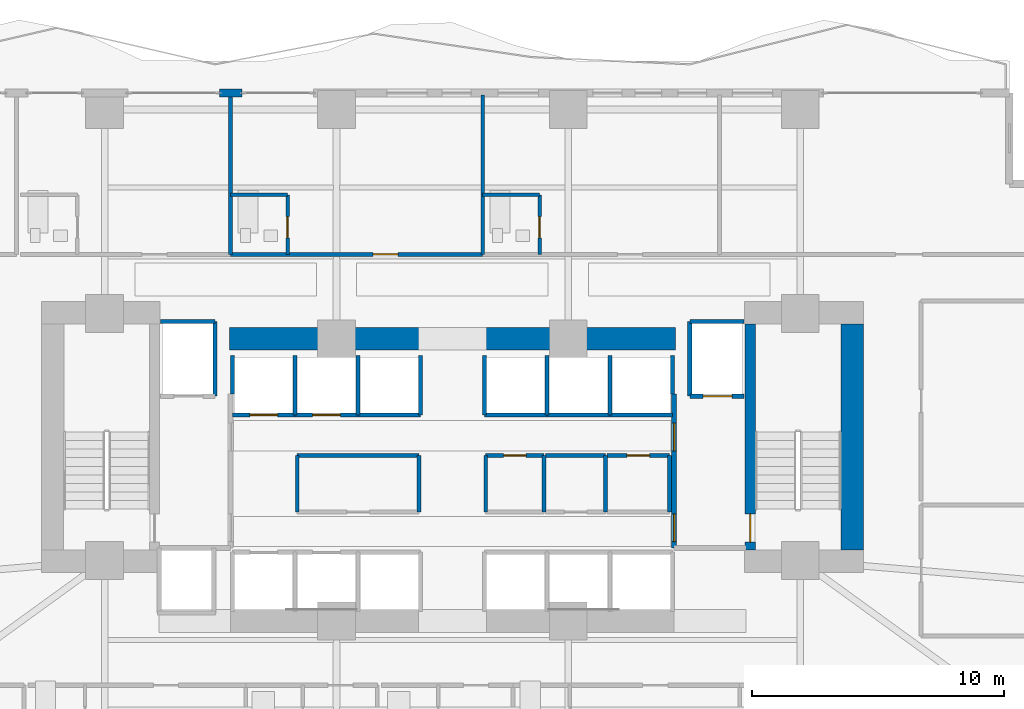
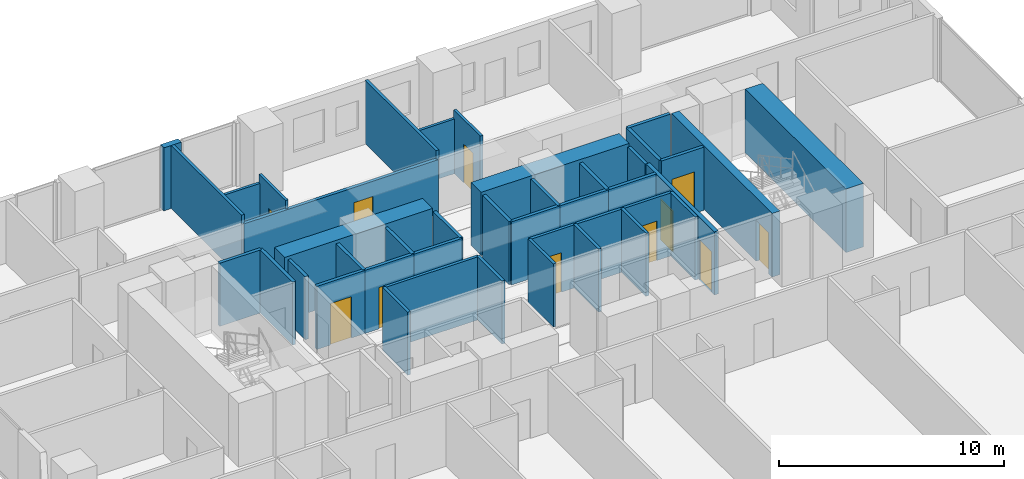
# One storey, part 21 of 29: 42 walls, 11 doors, 11 openings.
"""IFC4 building model written with IfcOpenShell, lengths in metres."""

from ifc_helpers import new_model, si_unit, direction, frame, frame_2d, origin, place, context, subcontext, project, spatial, rectangle, extrude, material, layer, layer_set, type_object, element, fill, save


model = new_model("IFC4")

# Units and contexts
model_context = context("Model", 3, precision=1e-05, world=origin(), true_north=direction((0.0, 1.0)))
body_context = subcontext(model_context, "Body", "Model", "MODEL_VIEW")
ifc_project = project(units=[si_unit("LENGTHUNIT", "METRE"), si_unit("AREAUNIT", "SQUARE_METRE"), si_unit("VOLUMEUNIT", "CUBIC_METRE"), si_unit("PLANEANGLEUNIT", "RADIAN"), si_unit("MASSUNIT", "GRAM", prefix="KILO")], contexts=[model_context])

# Site, building, storey
site_placement = place(None, origin())
site = spatial("IfcSite", under=ifc_project, at=site_placement, CompositionType="ELEMENT")
building_placement = place(site_placement, origin())
building = spatial("IfcBuilding", under=site, at=building_placement, Name="Zuhayl Quay Hotel", CompositionType="ELEMENT")
storey_placement = place(building_placement, frame((0.0, 0.0, 38.550048828125)))
storey = spatial("IfcBuildingStorey", under=building, at=storey_placement, Name="L08", CompositionType="ELEMENT", Elevation=38.550048828125)

# Walls
ifc_material_1 = material(Name="Concrete C70/85", Category="concrete")
ifc_layer_1 = layer(ifc_material_1, 0.89990234375, Name="Concrete C70/85", Category="concrete")
ifc_layer_set_1 = layer_set([ifc_layer_1], Name="Concrete C70/85")
wall_type_1 = type_object("IfcWallType", Name="WL_CORE_900", PredefinedType="SHEAR", material=ifc_layer_set_1)
wall_1_placement = place(storey_placement, frame((15.860107421875, 4.969970703125, 0.0), z_axis=(0.0, 0.0, 1.0), x_axis=(0.0, 1.0, 0.0)))
element("IfcWall", 1, at=wall_1_placement, inside=storey, type_object=wall_type_1, Name="L08 Core Shear Wall CW_E", PredefinedType="SHEAR", context=body_context, shape_type="SweptSolid", body=[
    extrude(rectangle(XDim=8.9599609375, YDim=0.89990234375, at=frame_2d((4.47998046875, 0.0))), origin(), (0.0, 0.0, 1.0), 3.4599609375),
])
for number, where, z_axis, x_axis, name in (
    (2, (-8.85009765625, 13.35009765625, 0.0), (0.0, 0.0, 1.0), (1.0, 0.0, 0.0), "L08 Core Shear Wall CW_NC_W"),
    (3, (1.25, 13.35009765625, 0.0), (0.0, 0.0, 1.0), (1.0, 0.0, 0.0), "L08 Core Shear Wall CW_NC_E"),
):
    element("IfcWall", number, at=place(storey_placement, frame(where, z_axis=z_axis, x_axis=x_axis)), inside=storey, type_object=wall_type_1, Name=name, PredefinedType="SHEAR", context=body_context, shape_type="SweptSolid", body=[
        extrude(rectangle(XDim=7.60009765625, YDim=0.89990234375, at=frame_2d((3.800048828125, 0.0))), origin(), (0.0, 0.0, 1.0), 3.429931640625),
    ])
ifc_material_2 = material(Name="Precast concrete C45/55", Category="concrete")
ifc_layer_2 = layer(ifc_material_2, 0.300048828125, Name="Precast concrete C45/55", Category="concrete")
ifc_layer_set_2 = layer_set([ifc_layer_2], Name="Precast concrete C45/55")
wall_type_2 = type_object("IfcWallType", Name="WL_EXT_300", PredefinedType="STANDARD", material=ifc_layer_set_2)
wall_2_placement = place(storey_placement, frame((-9.25, 23.10009765625, 0.0), z_axis=(0.0, 0.0, 1.0), x_axis=(1.0, 0.0, 0.0)))
element("IfcWall", 4, at=wall_2_placement, inside=storey, type_object=wall_type_2, Name="L08 Exterior Precast Wall ENV_L08_N_EW4", PredefinedType="STANDARD", context=body_context, shape_type="SweptSolid", body=[
    extrude(rectangle(XDim=0.89990234375, YDim=0.300048828125, at=frame_2d((0.449951171875, 0.0))), origin(), (0.0, 0.0, 1.0), 3.429931640625),
])

# Wall, opening, door
ifc_material_3 = material(Name="Acoustic Gypsum Partition STC-58")
ifc_layer_3 = layer(ifc_material_3, 0.14990234375, Name="Acoustic Gypsum Partition STC-58")
ifc_layer_set_3 = layer_set([ifc_layer_3], Name="Acoustic Gypsum Partition STC-58")
wall_type_3 = type_object("IfcWallType", Name="WL_PART_150", PredefinedType="PARTITIONING", material=ifc_layer_set_3)
wall_3_placement = place(storey_placement, frame((1.320068359375, 8.719970703125, 0.0), z_axis=(0.0, 0.0, 1.0), x_axis=(1.0, 0.0, 0.0)))
wall_3 = element("IfcWall", 5, at=wall_3_placement, inside=storey, type_object=wall_type_3, Name="L08 Partition IW_L08_CORE_E1_N", PredefinedType="PARTITIONING", context=body_context, shape_type="SweptSolid", body=[
    extrude(rectangle(XDim=2.31982421875, YDim=0.14990234375, at=frame_2d((1.159912109375, 0.0))), origin(), (0.0, 0.0, 1.0), 3.429931640625),
])
opening_1_placement = place(wall_3_placement, frame((0.7099609375, 0.0, 0.0)))
opening_1 = element("IfcOpeningElement", 6, at=opening_1_placement, cuts=wall_3, Name="Opening D06", PredefinedType="OPENING", context=body_context, shape_type="SweptSolid", body=[
    extrude(rectangle(XDim=0.89990234375, YDim=2.14990234375, at=frame_2d((0.449951171875, 1.074951171875))), frame((0.0, 0.0849609375, 0.0), z_axis=(0.0, -1.0, 0.0), x_axis=(1.0, 0.0, 0.0)), (0.0, 0.0, 1.0), 0.169921875),
])
ifc_material_4 = material(Name="Steel ASTM A992 Grade 50", Category="steel")
door_type_1 = type_object("IfcDoorType", Name="DR_INT_900", OperationType="NOTDEFINED", PredefinedType="DOOR", material=ifc_material_4)
door_1_placement = place(opening_1_placement, origin())
door_1 = element("IfcDoor", 7, at=door_1_placement, inside=storey, type_object=door_type_1, Name="L08 Floor Electrical Closet Door", OperationType="SINGLE_SWING_LEFT", OverallHeight=2.14990234375, OverallWidth=0.89990234375, PredefinedType="DOOR", context=body_context, shape_type="SweptSolid", body=[
    extrude(rectangle(XDim=0.89990234375, YDim=2.14990234375, at=frame_2d((0.449951171875, 1.074951171875))), frame((0.0, 0.02490234375, 0.0), z_axis=(0.0, -1.0, 0.0), x_axis=(1.0, 0.0, 0.0)), (0.0, 0.0, 1.0), 0.050048828125),
])
fill(opening_1, door_1)

wall_4_placement = place(storey_placement, frame((6.139892578125, 8.719970703125, 0.0), z_axis=(0.0, 0.0, 1.0), x_axis=(1.0, 0.0, 0.0)))
wall_4 = element("IfcWall", 8, at=wall_4_placement, inside=storey, type_object=wall_type_3, Name="L08 Partition IW_L08_CORE_E3_N", PredefinedType="PARTITIONING", context=body_context, shape_type="SweptSolid", body=[
    extrude(rectangle(XDim=2.47021484375, YDim=0.14990234375, at=frame_2d((1.235107421875, 0.0))), origin(), (0.0, 0.0, 1.0), 3.429931640625),
])
opening_2_placement = place(wall_4_placement, frame((0.784912109375, 0.0, 0.0)))
opening_2 = element("IfcOpeningElement", 9, at=opening_2_placement, cuts=wall_4, Name="Opening D06", PredefinedType="OPENING", context=body_context, shape_type="SweptSolid", body=[
    extrude(rectangle(XDim=0.89990234375, YDim=2.14990234375, at=frame_2d((0.449951171875, 1.074951171875))), frame((0.0, 0.0849609375, 0.0), z_axis=(0.0, -1.0, 0.0), x_axis=(1.0, 0.0, 0.0)), (0.0, 0.0, 1.0), 0.169921875),
])
door_2_placement = place(opening_2_placement, origin())
door_2 = element("IfcDoor", 10, at=door_2_placement, inside=storey, type_object=door_type_1, Name="L08 Janitor and Cleaners Store Door", OperationType="SINGLE_SWING_LEFT", OverallHeight=2.14990234375, OverallWidth=0.89990234375, PredefinedType="DOOR", context=body_context, shape_type="SweptSolid", body=[
    extrude(rectangle(XDim=0.89990234375, YDim=2.14990234375, at=frame_2d((0.449951171875, 1.074951171875))), frame((0.0, 0.02490234375, 0.0), z_axis=(0.0, -1.0, 0.0), x_axis=(1.0, 0.0, 0.0)), (0.0, 0.0, 1.0), 0.050048828125),
])
fill(opening_2, door_2)

# Walls
wall_5_placement = place(storey_placement, frame((-6.159912109375, 8.719970703125, 0.0), z_axis=(0.0, 0.0, 1.0), x_axis=(1.0, 0.0, 0.0)))
element("IfcWall", 11, at=wall_5_placement, inside=storey, type_object=wall_type_3, Name="L08 Partition IW_L08_CORE_SV_N", PredefinedType="PARTITIONING", context=body_context, shape_type="SweptSolid", body=[
    extrude(rectangle(XDim=4.83984375, YDim=0.14990234375, at=frame_2d((2.419921875, 0.0))), origin(), (0.0, 0.0, 1.0), 3.429931640625),
])
for number, where, z_axis, x_axis, name in (
    (12, (-6.159912109375, 6.47998046875, 0.0), (0.0, 0.0, 1.0), (0.0, 1.0, 0.0), "L08 Partition IW_L08_CORE_SV_W"),
    (13, (-1.320068359375, 6.47998046875, 0.0), (0.0, 0.0, 1.0), (0.0, 1.0, 0.0), "L08 Partition IW_L08_CORE_SV_E"),
    (14, (1.320068359375, 6.47998046875, 0.0), (0.0, 0.0, 1.0), (0.0, 1.0, 0.0), "L08 Partition IW_L08_CORE_E1_W"),
    (15, (3.639892578125, 6.47998046875, 0.0), (0.0, 0.0, 1.0), (0.0, 1.0, 0.0), "L08 Partition IW_L08_CORE_E1_E"),
):
    element("IfcWall", number, at=place(storey_placement, frame(where, z_axis=z_axis, x_axis=x_axis)), inside=storey, type_object=wall_type_3, Name=name, PredefinedType="PARTITIONING", context=body_context, shape_type="SweptSolid", body=[
        extrude(rectangle(XDim=2.239990234375, YDim=0.14990234375, at=frame_2d((1.1201171875, 0.0))), origin(), (0.0, 0.0, 1.0), 3.429931640625),
    ])
wall_6_placement = place(storey_placement, frame((3.699951171875, 8.719970703125, 0.0), z_axis=(0.0, 0.0, 1.0), x_axis=(1.0, 0.0, 0.0)))
element("IfcWall", 16, at=wall_6_placement, inside=storey, type_object=wall_type_3, Name="L08 Partition IW_L08_CORE_E2_N", PredefinedType="PARTITIONING", context=body_context, shape_type="SweptSolid", body=[
    extrude(rectangle(XDim=2.380126953125, YDim=0.14990234375, at=frame_2d((1.18994140625, 0.0))), origin(), (0.0, 0.0, 1.0), 3.429931640625),
])
for number, where, z_axis, x_axis, name in (
    (17, (6.080078125, 6.47998046875, 0.0), (0.0, 0.0, 1.0), (0.0, 1.0, 0.0), "L08 Partition IW_L08_CORE_E2_E"),
    (18, (8.610107421875, 6.47998046875, 0.0), (0.0, 0.0, 1.0), (0.0, 1.0, 0.0), "L08 Partition IW_L08_CORE_E3_E"),
):
    element("IfcWall", number, at=place(storey_placement, frame(where, z_axis=z_axis, x_axis=x_axis)), inside=storey, type_object=wall_type_3, Name=name, PredefinedType="PARTITIONING", context=body_context, shape_type="SweptSolid", body=[
        extrude(rectangle(XDim=2.239990234375, YDim=0.14990234375, at=frame_2d((1.1201171875, 0.0))), origin(), (0.0, 0.0, 1.0), 3.429931640625),
    ])
for number, where, z_axis, x_axis, name in (
    (19, (-8.800048828125, 16.699951171875, 0.0), (0.0, 0.0, 1.0), (0.0, 1.0, 0.0), "L08 Partition IW_L08_NU01B_E"),
    (20, (1.199951171875, 16.699951171875, 0.0), (0.0, 0.0, 1.0), (0.0, 1.0, 0.0), "L08 Partition IW_L08_NU02_E"),
):
    element("IfcWall", number, at=place(storey_placement, frame(where, z_axis=z_axis, x_axis=x_axis)), inside=storey, type_object=wall_type_3, Name=name, PredefinedType="PARTITIONING", context=body_context, shape_type="SweptSolid", body=[
        extrude(rectangle(XDim=6.320068359375, YDim=0.14990234375, at=frame_2d((3.16015625, 0.0))), origin(), (0.0, 0.0, 1.0), 3.429931640625),
    ])

# Wall, opening, door
ifc_layer_4 = layer(ifc_material_3, 0.159912109375, Name="Acoustic Gypsum Partition STC-58")
ifc_layer_set_4 = layer_set([ifc_layer_4], Name="Acoustic Gypsum Partition STC-58")
wall_type_4 = type_object("IfcWallType", Name="WL_PART_CORR_160", PredefinedType="PARTITIONING", material=ifc_layer_set_4)
wall_7_placement = place(storey_placement, frame((-8.800048828125, 16.699951171875, 0.0), z_axis=(0.0, 0.0, 1.0), x_axis=(1.0, 0.0, 0.0)))
wall_7 = element("IfcWall", 21, at=wall_7_placement, inside=storey, type_object=wall_type_4, Name="L08 Partition IW_L08_NU02_COR", PredefinedType="PARTITIONING", context=body_context, shape_type="SweptSolid", body=[
    extrude(rectangle(XDim=10.0, YDim=0.159912109375, at=frame_2d((5.0, 0.0))), origin(), (0.0, 0.0, 1.0), 2.972900390625),
])
opening_3_placement = place(wall_7_placement, frame((5.64990234375, 0.0, 0.0)))
opening_3 = element("IfcOpeningElement", 22, at=opening_3_placement, cuts=wall_7, Name="Opening D03L", PredefinedType="OPENING", context=body_context, shape_type="SweptSolid", body=[
    extrude(rectangle(XDim=1.0, YDim=2.14990234375, at=frame_2d((0.5, 1.074951171875))), frame((0.0, 0.08984375, 0.0), z_axis=(0.0, -1.0, 0.0), x_axis=(1.0, 0.0, 0.0)), (0.0, 0.0, 1.0), 0.179931640625),
])
ifc_material_5 = material(Name="Solid Walnut Acoustic Fire Door")
door_type_2 = type_object("IfcDoorType", Name="DR_SUITE_1000", OperationType="NOTDEFINED", PredefinedType="DOOR", material=ifc_material_5)
door_3_placement = place(opening_3_placement, origin())
door_3 = element("IfcDoor", 23, at=door_3_placement, inside=storey, type_object=door_type_2, Name="L08 Deluxe Gulf Guest Room L08-02 Entrance Door", OperationType="SINGLE_SWING_LEFT", OverallHeight=2.14990234375, OverallWidth=1.0, PredefinedType="DOOR", context=body_context, shape_type="SweptSolid", body=[
    extrude(rectangle(XDim=1.0, YDim=2.14990234375, at=frame_2d((0.5, 1.074951171875))), frame((0.0, 0.02490234375, 0.0), z_axis=(0.0, -1.0, 0.0), x_axis=(1.0, 0.0, 0.0)), (0.0, 0.0, 1.0), 0.050048828125),
])
fill(opening_3, door_3)

ifc_material_6 = material(Name="Moisture-Resistant Sanitarychase Gypsum")
ifc_layer_5 = layer(ifc_material_6, 0.135009765625, Name="Moisture-Resistant Sanitarychase Gypsum")
ifc_layer_set_5 = layer_set([ifc_layer_5], Name="Moisture-Resistant Sanitarychase Gypsum")
wall_type_5 = type_object("IfcWallType", Name="WL_PART_PLUMB_150", PredefinedType="PLUMBINGWALL", material=ifc_layer_set_5)
wall_8_placement = place(storey_placement, frame((-6.5400390625, 16.699951171875, 0.0), z_axis=(0.0, 0.0, 1.0), x_axis=(0.0, 1.0, 0.0)))
wall_8 = element("IfcWall", 24, at=wall_8_placement, inside=storey, type_object=wall_type_5, Name="L08 Partition IW_L08_NU02_BE", PredefinedType="PLUMBINGWALL", context=body_context, shape_type="SweptSolid", body=[
    extrude(rectangle(XDim=2.360107421875, YDim=0.135009765625, at=frame_2d((1.18017578125, 0.0))), origin(), (0.0, 0.0, 1.0), 3.429931640625),
])
opening_4_placement = place(wall_8_placement, frame((0.64990234375, 0.0, 0.0)))
opening_4 = element("IfcOpeningElement", 25, at=opening_4_placement, cuts=wall_8, Name="Opening D04", PredefinedType="OPENING", context=body_context, shape_type="SweptSolid", body=[
    extrude(rectangle(XDim=0.85009765625, YDim=2.10009765625, at=frame_2d((0.425048828125, 1.050048828125))), frame((0.0, 0.077392578125, 0.0), z_axis=(0.0, -1.0, 0.0), x_axis=(1.0, 0.0, 0.0)), (0.0, 0.0, 1.0), 0.155029296875),
])
ifc_material_7 = material(Name="Moisture-Resistant Walnut Veneer")
door_type_3 = type_object("IfcDoorType", Name="DR_BATH_850", OperationType="NOTDEFINED", PredefinedType="DOOR", material=ifc_material_7)
door_4_placement = place(opening_4_placement, origin())
door_4 = element("IfcDoor", 26, at=door_4_placement, inside=storey, type_object=door_type_3, Name="L08 Deluxe Gulf Guest Room L08-02 En-Suite Door", OperationType="SINGLE_SWING_RIGHT", OverallHeight=2.10009765625, OverallWidth=0.85009765625, PredefinedType="DOOR", context=body_context, shape_type="SweptSolid", body=[
    extrude(rectangle(XDim=0.85009765625, YDim=2.10009765625, at=frame_2d((0.425048828125, 1.050048828125))), frame((0.0, 0.02490234375, 0.0), z_axis=(0.0, -1.0, 0.0), x_axis=(1.0, 0.0, 0.0)), (0.0, 0.0, 1.0), 0.050048828125),
])
fill(opening_4, door_4)

wall_9_placement = place(storey_placement, frame((3.4599609375, 16.699951171875, 0.0), z_axis=(0.0, 0.0, 1.0), x_axis=(0.0, 1.0, 0.0)))
wall_9 = element("IfcWall", 27, at=wall_9_placement, inside=storey, type_object=wall_type_5, Name="L08 Partition IW_L08_NU03_BE", PredefinedType="PLUMBINGWALL", context=body_context, shape_type="SweptSolid", body=[
    extrude(rectangle(XDim=2.360107421875, YDim=0.135009765625, at=frame_2d((1.18017578125, 0.0))), origin(), (0.0, 0.0, 1.0), 3.429931640625),
])
opening_5_placement = place(wall_9_placement, frame((0.64990234375, 0.0, 0.0)))
opening_5 = element("IfcOpeningElement", 28, at=opening_5_placement, cuts=wall_9, Name="Opening D04", PredefinedType="OPENING", context=body_context, shape_type="SweptSolid", body=[
    extrude(rectangle(XDim=0.85009765625, YDim=2.10009765625, at=frame_2d((0.425048828125, 1.050048828125))), frame((0.0, 0.077392578125, 0.0), z_axis=(0.0, -1.0, 0.0), x_axis=(1.0, 0.0, 0.0)), (0.0, 0.0, 1.0), 0.155029296875),
])
door_5_placement = place(opening_5_placement, origin())
door_5 = element("IfcDoor", 29, at=door_5_placement, inside=storey, type_object=door_type_3, Name="L08 Deluxe Gulf Guest Room L08-03 En-Suite Door", OperationType="SINGLE_SWING_RIGHT", OverallHeight=2.10009765625, OverallWidth=0.85009765625, PredefinedType="DOOR", context=body_context, shape_type="SweptSolid", body=[
    extrude(rectangle(XDim=0.85009765625, YDim=2.10009765625, at=frame_2d((0.425048828125, 1.050048828125))), frame((0.0, 0.02490234375, 0.0), z_axis=(0.0, -1.0, 0.0), x_axis=(1.0, 0.0, 0.0)), (0.0, 0.0, 1.0), 0.050048828125),
])
fill(opening_5, door_5)

# Walls
for number, where, z_axis, x_axis, name in (
    (30, (-8.800048828125, 19.06005859375, 0.0), (0.0, 0.0, 1.0), (1.0, 0.0, 0.0), "L08 Partition IW_L08_NU02_BN"),
    (31, (1.199951171875, 19.06005859375, 0.0), (0.0, 0.0, 1.0), (1.0, 0.0, 0.0), "L08 Partition IW_L08_NU03_BN"),
):
    element("IfcWall", number, at=place(storey_placement, frame(where, z_axis=z_axis, x_axis=x_axis)), inside=storey, type_object=wall_type_5, Name=name, PredefinedType="PLUMBINGWALL", context=body_context, shape_type="SweptSolid", body=[
        extrude(rectangle(XDim=2.260009765625, YDim=0.135009765625, at=frame_2d((1.1298828125, 0.0))), origin(), (0.0, 0.0, 1.0), 2.972900390625),
    ])

# Wall, opening, door
ifc_material_8 = material(Name="Gypsum Fireboard Assembly EI-90")
ifc_layer_6 = layer(ifc_material_8, 0.1650390625, Name="Gypsum Fireboard Assembly EI-90")
ifc_layer_set_6 = layer_set([ifc_layer_6], Name="Gypsum Fireboard Assembly EI-90")
wall_type_6 = type_object("IfcWallType", Name="WL_PART_SHAFT_160", PredefinedType="PARTITIONING", material=ifc_layer_set_6)
wall_10_placement = place(storey_placement, frame((9.419921875, 11.070068359375, 0.0), z_axis=(0.0, 0.0, 1.0), x_axis=(1.0, 0.0, 0.0)))
wall_10 = element("IfcWall", 32, at=wall_10_placement, inside=storey, type_object=wall_type_6, Name="L08 Partition IW_L08_SH_FL2_F", PredefinedType="PARTITIONING", context=body_context, shape_type="SweptSolid", body=[
    extrude(rectangle(XDim=2.16015625, YDim=0.1650390625, at=frame_2d((1.080078125, 0.0))), origin(), (0.0, 0.0, 1.0), 3.429931640625),
])
opening_6_placement = place(wall_10_placement, frame((0.530029296875, 0.0, 0.0)))
opening_6 = element("IfcOpeningElement", 33, at=opening_6_placement, cuts=wall_10, Name="Opening LD2", PredefinedType="OPENING", context=body_context, shape_type="SweptSolid", body=[
    extrude(rectangle(XDim=1.14990234375, YDim=2.25, at=frame_2d((0.574951171875, 1.125))), frame((0.0, 0.092529296875, 0.0), z_axis=(0.0, -1.0, 0.0), x_axis=(1.0, 0.0, 0.0)), (0.0, 0.0, 1.0), 0.18505859375),
])
ifc_material_9 = material(Name="Brushed Stainless Steel", Category="steel")
door_type_4 = type_object("IfcDoorType", Name="DR_LIFT_FF_1100", OperationType="SLIDING_TO_LEFT", PredefinedType="DOOR", material=ifc_material_9)
door_6_placement = place(opening_6_placement, origin())
door_6 = element("IfcDoor", 34, at=door_6_placement, inside=storey, type_object=door_type_4, Name="L08 Lift FL2 Sliding Landing Door", OperationType="SLIDING_TO_LEFT", OverallHeight=2.25, OverallWidth=1.14990234375, PredefinedType="DOOR", context=body_context, shape_type="SweptSolid", body=[
    extrude(rectangle(XDim=1.14990234375, YDim=2.25, at=frame_2d((0.574951171875, 1.125))), frame((0.0, 0.02490234375, 0.0), z_axis=(0.0, -1.0, 0.0), x_axis=(1.0, 0.0, 0.0)), (0.0, 0.0, 1.0), 0.050048828125),
])
fill(opening_6, door_6)

wall_11_placement = place(storey_placement, frame((-8.72998046875, 10.320068359375, 0.0), z_axis=(0.0, 0.0, 1.0), x_axis=(1.0, 0.0, 0.0)))
wall_11 = element("IfcWall", 35, at=wall_11_placement, inside=storey, type_object=wall_type_6, Name="L08 Partition IW_L08_SH_LP3_F", PredefinedType="PARTITIONING", context=body_context, shape_type="SweptSolid", body=[
    extrude(rectangle(XDim=2.47998046875, YDim=0.1650390625, at=frame_2d((1.239990234375, 0.0))), origin(), (0.0, 0.0, 1.0), 3.429931640625),
])
opening_7_placement = place(wall_11_placement, frame((0.68994140625, 0.0, 0.0)))
opening_7 = element("IfcOpeningElement", 36, at=opening_7_placement, cuts=wall_11, Name="Opening LD1", PredefinedType="OPENING", context=body_context, shape_type="SweptSolid", body=[
    extrude(rectangle(XDim=1.10009765625, YDim=2.25, at=frame_2d((0.550048828125, 1.125))), frame((0.0, 0.092529296875, 0.0), z_axis=(0.0, -1.0, 0.0), x_axis=(1.0, 0.0, 0.0)), (0.0, 0.0, 1.0), 0.18505859375),
])
door_type_5 = type_object("IfcDoorType", Name="DR_LIFT_PASS_1100", OperationType="SLIDING_TO_LEFT", PredefinedType="DOOR", material=ifc_material_9)
door_7_placement = place(opening_7_placement, origin())
door_7 = element("IfcDoor", 37, at=door_7_placement, inside=storey, type_object=door_type_5, Name="L08 Lift LP3 Sliding Landing Door", OperationType="SLIDING_TO_LEFT", OverallHeight=2.25, OverallWidth=1.10009765625, PredefinedType="DOOR", context=body_context, shape_type="SweptSolid", body=[
    extrude(rectangle(XDim=1.10009765625, YDim=2.25, at=frame_2d((0.550048828125, 1.125))), frame((0.0, 0.02490234375, 0.0), z_axis=(0.0, -1.0, 0.0), x_axis=(1.0, 0.0, 0.0)), (0.0, 0.0, 1.0), 0.050048828125),
])
fill(opening_7, door_7)

wall_12_placement = place(storey_placement, frame((-6.25, 10.320068359375, 0.0), z_axis=(0.0, 0.0, 1.0), x_axis=(1.0, 0.0, 0.0)))
wall_12 = element("IfcWall", 38, at=wall_12_placement, inside=storey, type_object=wall_type_6, Name="L08 Partition IW_L08_SH_LP4_F", PredefinedType="PARTITIONING", context=body_context, shape_type="SweptSolid", body=[
    extrude(rectangle(XDim=2.5, YDim=0.1650390625, at=frame_2d((1.25, 0.0))), origin(), (0.0, 0.0, 1.0), 3.429931640625),
])
opening_8_placement = place(wall_12_placement, frame((0.699951171875, 0.0, 0.0)))
opening_8 = element("IfcOpeningElement", 39, at=opening_8_placement, cuts=wall_12, Name="Opening LD1", PredefinedType="OPENING", context=body_context, shape_type="SweptSolid", body=[
    extrude(rectangle(XDim=1.10009765625, YDim=2.25, at=frame_2d((0.550048828125, 1.125))), frame((0.0, 0.092529296875, 0.0), z_axis=(0.0, -1.0, 0.0), x_axis=(1.0, 0.0, 0.0)), (0.0, 0.0, 1.0), 0.18505859375),
])
door_8_placement = place(opening_8_placement, origin())
door_8 = element("IfcDoor", 40, at=door_8_placement, inside=storey, type_object=door_type_5, Name="L08 Lift LP4 Sliding Landing Door", OperationType="SLIDING_TO_LEFT", OverallHeight=2.25, OverallWidth=1.10009765625, PredefinedType="DOOR", context=body_context, shape_type="SweptSolid", body=[
    extrude(rectangle(XDim=1.10009765625, YDim=2.25, at=frame_2d((0.550048828125, 1.125))), frame((0.0, 0.02490234375, 0.0), z_axis=(0.0, -1.0, 0.0), x_axis=(1.0, 0.0, 0.0)), (0.0, 0.0, 1.0), 0.050048828125),
])
fill(opening_8, door_8)

# Walls
wall_13_placement = place(storey_placement, frame((-9.419921875, 11.070068359375, 0.0), z_axis=(0.0, 0.0, 1.0), x_axis=(0.0, 1.0, 0.0)))
element("IfcWall", 41, at=wall_13_placement, inside=storey, type_object=wall_type_6, Name="L08 Partition IW_L08_SH_FL1_E", PredefinedType="PARTITIONING", context=body_context, shape_type="SweptSolid", body=[
    extrude(rectangle(XDim=2.9599609375, YDim=0.1650390625, at=frame_2d((1.47998046875, 0.0))), origin(), (0.0, 0.0, 1.0), 3.429931640625),
])
wall_14_placement = place(storey_placement, frame((-11.580078125, 14.030029296875, 0.0), z_axis=(0.0, 0.0, 1.0), x_axis=(1.0, 0.0, 0.0)))
element("IfcWall", 42, at=wall_14_placement, inside=storey, type_object=wall_type_6, Name="L08 Partition IW_L08_SH_FL1_B", PredefinedType="PARTITIONING", context=body_context, shape_type="SweptSolid", body=[
    extrude(rectangle(XDim=2.16015625, YDim=0.1650390625, at=frame_2d((1.080078125, 0.0))), origin(), (0.0, 0.0, 1.0), 3.429931640625),
])
wall_15_placement = place(storey_placement, frame((9.419921875, 11.070068359375, 0.0), z_axis=(0.0, 0.0, 1.0), x_axis=(0.0, 1.0, 0.0)))
element("IfcWall", 43, at=wall_15_placement, inside=storey, type_object=wall_type_6, Name="L08 Partition IW_L08_SH_FL2_W", PredefinedType="PARTITIONING", context=body_context, shape_type="SweptSolid", body=[
    extrude(rectangle(XDim=2.9599609375, YDim=0.1650390625, at=frame_2d((1.47998046875, 0.0))), origin(), (0.0, 0.0, 1.0), 3.429931640625),
])
wall_16_placement = place(storey_placement, frame((9.419921875, 14.030029296875, 0.0), z_axis=(0.0, 0.0, 1.0), x_axis=(1.0, 0.0, 0.0)))
element("IfcWall", 44, at=wall_16_placement, inside=storey, type_object=wall_type_6, Name="L08 Partition IW_L08_SH_FL2_B", PredefinedType="PARTITIONING", context=body_context, shape_type="SweptSolid", body=[
    extrude(rectangle(XDim=2.16015625, YDim=0.1650390625, at=frame_2d((1.080078125, 0.0))), origin(), (0.0, 0.0, 1.0), 3.429931640625),
])
wall_17_placement = place(storey_placement, frame((-8.72998046875, 11.14990234375, 0.0), z_axis=(0.0, 0.0, 1.0), x_axis=(0.0, 1.0, 0.0)))
element("IfcWall", 45, at=wall_17_placement, inside=storey, type_object=wall_type_6, Name="L08 Partition IW_L08_SH_LP3_W", PredefinedType="PARTITIONING", context=body_context, shape_type="SweptSolid", body=[
    extrude(rectangle(XDim=1.530029296875, YDim=0.1650390625, at=frame_2d((0.76513671875, 0.0))), origin(), (0.0, 0.0, 1.0), 3.429931640625),
])
for number, where, z_axis, x_axis, name in (
    (46, (-6.25, 10.320068359375, 0.0), (0.0, 0.0, 1.0), (0.0, 1.0, 0.0), "L08 Partition IW_L08_SH_LP3_E"),
    (47, (-3.75, 10.320068359375, 0.0), (0.0, 0.0, 1.0), (0.0, 1.0, 0.0), "L08 Partition IW_L08_SH_LP4_E"),
):
    element("IfcWall", number, at=place(storey_placement, frame(where, z_axis=z_axis, x_axis=x_axis)), inside=storey, type_object=wall_type_6, Name=name, PredefinedType="PARTITIONING", context=body_context, shape_type="SweptSolid", body=[
        extrude(rectangle(XDim=2.35986328125, YDim=0.1650390625, at=frame_2d((1.179931640625, 0.0))), origin(), (0.0, 0.0, 1.0), 3.429931640625),
    ])
wall_18_placement = place(storey_placement, frame((-3.75, 10.320068359375, 0.0), z_axis=(0.0, 0.0, 1.0), x_axis=(1.0, 0.0, 0.0)))
element("IfcWall", 48, at=wall_18_placement, inside=storey, type_object=wall_type_6, Name="L08 Partition IW_L08_SH_MP3_F", PredefinedType="PARTITIONING", context=body_context, shape_type="SweptSolid", body=[
    extrude(rectangle(XDim=2.47998046875, YDim=0.1650390625, at=frame_2d((1.239990234375, 0.0))), origin(), (0.0, 0.0, 1.0), 3.429931640625),
])
wall_19_placement = place(storey_placement, frame((-1.27001953125, 10.320068359375, 0.0), z_axis=(0.0, 0.0, 1.0), x_axis=(0.0, 1.0, 0.0)))
element("IfcWall", 49, at=wall_19_placement, inside=storey, type_object=wall_type_6, Name="L08 Partition IW_L08_SH_MP3_E", PredefinedType="PARTITIONING", context=body_context, shape_type="SweptSolid", body=[
    extrude(rectangle(XDim=2.35986328125, YDim=0.1650390625, at=frame_2d((1.179931640625, 0.0))), origin(), (0.0, 0.0, 1.0), 3.429931640625),
])
wall_20_placement = place(storey_placement, frame((1.27001953125, 10.320068359375, 0.0), z_axis=(0.0, 0.0, 1.0), x_axis=(1.0, 0.0, 0.0)))
element("IfcWall", 50, at=wall_20_placement, inside=storey, type_object=wall_type_6, Name="L08 Partition IW_L08_SH_MP4_F", PredefinedType="PARTITIONING", context=body_context, shape_type="SweptSolid", body=[
    extrude(rectangle(XDim=2.47998046875, YDim=0.1650390625, at=frame_2d((1.239990234375, 0.0))), origin(), (0.0, 0.0, 1.0), 3.429931640625),
])
for number, where, z_axis, x_axis, name in (
    (51, (1.27001953125, 10.320068359375, 0.0), (0.0, 0.0, 1.0), (0.0, 1.0, 0.0), "L08 Partition IW_L08_SH_MP4_W"),
    (52, (3.75, 10.320068359375, 0.0), (0.0, 0.0, 1.0), (0.0, 1.0, 0.0), "L08 Partition IW_L08_SH_MP4_E"),
):
    element("IfcWall", number, at=place(storey_placement, frame(where, z_axis=z_axis, x_axis=x_axis)), inside=storey, type_object=wall_type_6, Name=name, PredefinedType="PARTITIONING", context=body_context, shape_type="SweptSolid", body=[
        extrude(rectangle(XDim=2.35986328125, YDim=0.1650390625, at=frame_2d((1.179931640625, 0.0))), origin(), (0.0, 0.0, 1.0), 3.429931640625),
    ])
wall_21_placement = place(storey_placement, frame((3.75, 10.320068359375, 0.0), z_axis=(0.0, 0.0, 1.0), x_axis=(1.0, 0.0, 0.0)))
element("IfcWall", 53, at=wall_21_placement, inside=storey, type_object=wall_type_6, Name="L08 Partition IW_L08_SH_HP3_F", PredefinedType="PARTITIONING", context=body_context, shape_type="SweptSolid", body=[
    extrude(rectangle(XDim=2.5, YDim=0.1650390625, at=frame_2d((1.25, 0.0))), origin(), (0.0, 0.0, 1.0), 3.429931640625),
])
wall_22_placement = place(storey_placement, frame((6.25, 10.320068359375, 0.0), z_axis=(0.0, 0.0, 1.0), x_axis=(0.0, 1.0, 0.0)))
element("IfcWall", 54, at=wall_22_placement, inside=storey, type_object=wall_type_6, Name="L08 Partition IW_L08_SH_HP3_E", PredefinedType="PARTITIONING", context=body_context, shape_type="SweptSolid", body=[
    extrude(rectangle(XDim=2.35986328125, YDim=0.1650390625, at=frame_2d((1.179931640625, 0.0))), origin(), (0.0, 0.0, 1.0), 3.429931640625),
])
wall_23_placement = place(storey_placement, frame((6.25, 10.320068359375, 0.0), z_axis=(0.0, 0.0, 1.0), x_axis=(1.0, 0.0, 0.0)))
element("IfcWall", 55, at=wall_23_placement, inside=storey, type_object=wall_type_6, Name="L08 Partition IW_L08_SH_HP4_F", PredefinedType="PARTITIONING", context=body_context, shape_type="SweptSolid", body=[
    extrude(rectangle(XDim=2.47998046875, YDim=0.1650390625, at=frame_2d((1.239990234375, 0.0))), origin(), (0.0, 0.0, 1.0), 3.429931640625),
])
wall_24_placement = place(storey_placement, frame((8.72998046875, 11.14990234375, 0.0), z_axis=(0.0, 0.0, 1.0), x_axis=(0.0, 1.0, 0.0)))
element("IfcWall", 56, at=wall_24_placement, inside=storey, type_object=wall_type_6, Name="L08 Partition IW_L08_SH_HP4_E", PredefinedType="PARTITIONING", context=body_context, shape_type="SweptSolid", body=[
    extrude(rectangle(XDim=1.530029296875, YDim=0.1650390625, at=frame_2d((0.76513671875, 0.0))), origin(), (0.0, 0.0, 1.0), 3.429931640625),
])

# Wall, openings, doors
ifc_material_10 = material(Name="Gypsum Fireboard Assembly EI-120")
ifc_layer_7 = layer(ifc_material_10, 0.199951171875, Name="Gypsum Fireboard Assembly EI-120")
ifc_layer_set_7 = layer_set([ifc_layer_7], Name="Gypsum Fireboard Assembly EI-120")
wall_type_7 = type_object("IfcWallType", Name="WL_PART_SHAFT_200", PredefinedType="PARTITIONING", material=ifc_layer_set_7)
wall_25_placement = place(storey_placement, frame((8.800048828125, 11.14990234375, 0.0), z_axis=(0.0, 0.0, 1.0), x_axis=(0.0, -1.0, 0.0)))
wall_25 = element("IfcWall", 57, at=wall_25_placement, inside=storey, type_object=wall_type_7, Name="L08 Partition IW_L08_FSAE_E_W", PredefinedType="PARTITIONING", context=body_context, shape_type="SweptSolid", body=[
    extrude(rectangle(XDim=6.099853515625, YDim=0.199951171875, at=frame_2d((3.0498046875, 0.0))), origin(), (0.0, 0.0, 1.0), 3.429931640625),
])
opening_9_placement = place(wall_25_placement, frame((1.14990234375, 0.0, 0.0)))
opening_9 = element("IfcOpeningElement", 58, at=opening_9_placement, cuts=wall_25, Name="Opening D02", PredefinedType="OPENING", context=body_context, shape_type="SweptSolid", body=[
    extrude(rectangle(XDim=1.10009765625, YDim=2.199951171875, at=frame_2d((0.550048828125, 1.10009765625))), frame((0.0, 0.10986328125, 0.0), z_axis=(0.0, -1.0, 0.0), x_axis=(1.0, 0.0, 0.0)), (0.0, 0.0, 1.0), 0.219970703125),
])
opening_10_placement = place(wall_25_placement, frame((4.75, 0.0, 0.0)))
opening_10 = element("IfcOpeningElement", 59, at=opening_10_placement, cuts=wall_25, Name="Opening D02", PredefinedType="OPENING", context=body_context, shape_type="SweptSolid", body=[
    extrude(rectangle(XDim=1.10009765625, YDim=2.199951171875, at=frame_2d((0.550048828125, 1.10009765625))), frame((0.0, 0.10986328125, 0.0), z_axis=(0.0, -1.0, 0.0), x_axis=(1.0, 0.0, 0.0)), (0.0, 0.0, 1.0), 0.219970703125),
])
door_type_6 = type_object("IfcDoorType", Name="DR_FIRE_90_1100", OperationType="NOTDEFINED", PredefinedType="DOOR", material=ifc_material_4)
door_9_placement = place(opening_9_placement, origin())
door_9 = element("IfcDoor", 60, at=door_9_placement, inside=storey, type_object=door_type_6, Name="L08 FSAE Lobby East North Entry Door", OperationType="SINGLE_SWING_RIGHT", OverallHeight=2.199951171875, OverallWidth=1.10009765625, PredefinedType="DOOR", context=body_context, shape_type="SweptSolid", body=[
    extrude(rectangle(XDim=1.10009765625, YDim=2.199951171875, at=frame_2d((0.550048828125, 1.10009765625))), frame((0.0, 0.02490234375, 0.0), z_axis=(0.0, -1.0, 0.0), x_axis=(1.0, 0.0, 0.0)), (0.0, 0.0, 1.0), 0.050048828125),
])
fill(opening_9, door_9)
door_10_placement = place(opening_10_placement, origin())
door_10 = element("IfcDoor", 61, at=door_10_placement, inside=storey, type_object=door_type_6, Name="L08 FSAE Lobby East South Entry Door", OperationType="SINGLE_SWING_LEFT", OverallHeight=2.199951171875, OverallWidth=1.10009765625, PredefinedType="DOOR", context=body_context, shape_type="SweptSolid", body=[
    extrude(rectangle(XDim=1.10009765625, YDim=2.199951171875, at=frame_2d((0.550048828125, 1.10009765625))), frame((0.0, 0.02490234375, 0.0), z_axis=(0.0, -1.0, 0.0), x_axis=(1.0, 0.0, 0.0)), (0.0, 0.0, 1.0), 0.050048828125),
])
fill(opening_10, door_10)

# Wall, opening, door
ifc_material_11 = material(Name="Concrete C60/75", Category="concrete")
ifc_layer_8 = layer(ifc_material_11, 0.39990234375, Name="Concrete C60/75", Category="concrete")
ifc_layer_set_8 = layer_set([ifc_layer_8], Name="Concrete C60/75")
wall_type_8 = type_object("IfcWallType", Name="WL_STAIR_400", PredefinedType="SHEAR", material=ifc_layer_set_8)
wall_26_placement = place(storey_placement, frame((11.820068359375, 13.929931640625, 0.0), z_axis=(0.0, 0.0, 1.0), x_axis=(0.0, -1.0, 0.0)))
wall_26 = element("IfcWall", 62, at=wall_26_placement, inside=storey, type_object=wall_type_8, Name="L08 Core Shear Wall SW_ST2", PredefinedType="SHEAR", context=body_context, shape_type="SweptSolid", body=[
    extrude(rectangle(XDim=8.9599609375, YDim=0.39990234375, at=frame_2d((4.47998046875, 0.0))), origin(), (0.0, 0.0, 1.0), 3.4599609375),
])
opening_11_placement = place(wall_26_placement, frame((7.530029296875, 0.0, 0.0)))
opening_11 = element("IfcOpeningElement", 63, at=opening_11_placement, cuts=wall_26, Name="Opening D01", PredefinedType="OPENING", context=body_context, shape_type="SweptSolid", body=[
    extrude(rectangle(XDim=1.1201171875, YDim=2.219970703125, at=frame_2d((0.56005859375, 1.10986328125))), frame((0.0, 0.2099609375, 0.0), z_axis=(0.0, -1.0, 0.0), x_axis=(1.0, 0.0, 0.0)), (0.0, 0.0, 1.0), 0.419921875),
])
door_type_7 = type_object("IfcDoorType", Name="DR_STAIR_90_1100", OperationType="NOTDEFINED", PredefinedType="DOOR", material=ifc_material_4)
door_11_placement = place(opening_11_placement, origin())
door_11 = element("IfcDoor", 64, at=door_11_placement, inside=storey, type_object=door_type_7, Name="L08 Smokeproof Exit Stair ST2 Door", OperationType="SINGLE_SWING_RIGHT", OverallHeight=2.219970703125, OverallWidth=1.1201171875, PredefinedType="DOOR", context=body_context, shape_type="SweptSolid", body=[
    extrude(rectangle(XDim=1.1201171875, YDim=2.219970703125, at=frame_2d((0.56005859375, 1.10986328125))), frame((0.0, 0.02490234375, 0.0), z_axis=(0.0, -1.0, 0.0), x_axis=(1.0, 0.0, 0.0)), (0.0, 0.0, 1.0), 0.050048828125),
])
fill(opening_11, door_11)

save(model, "model.ifc")
